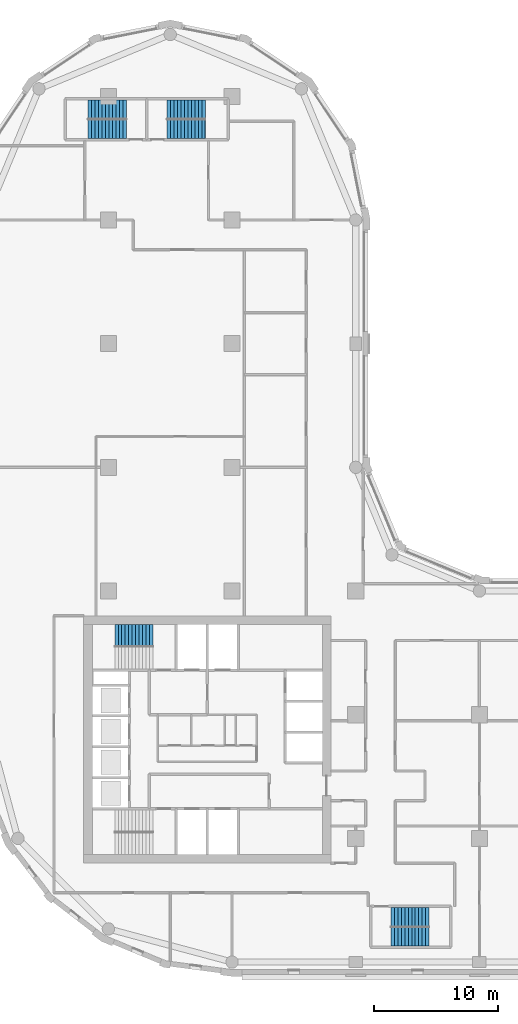
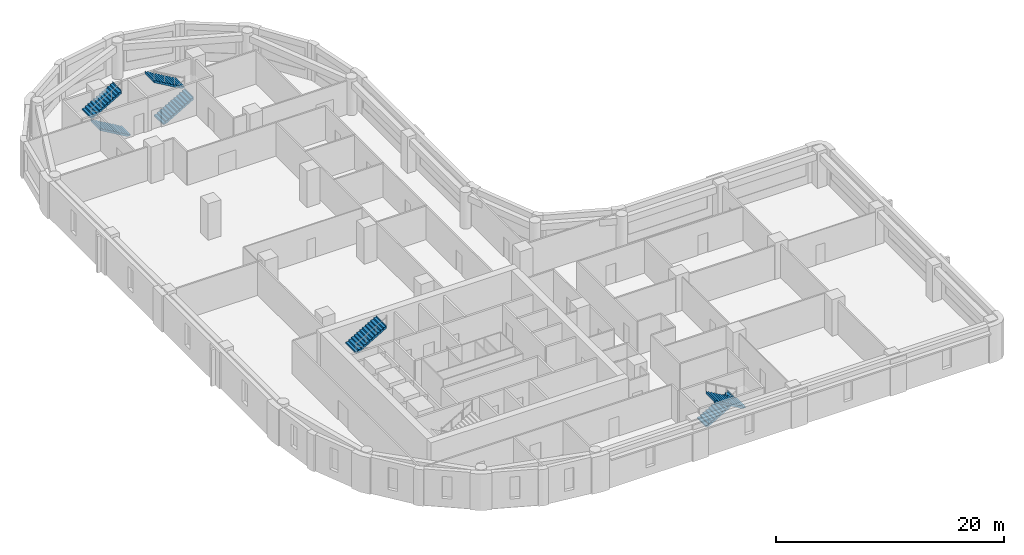
# One storey, part 7 of 9: 7 stair flights, 4 elements without a shape of their own.
"""IFC4 building model written with IfcOpenShell, lengths in metres."""

from ifc_helpers import new_model, si_unit, direction, frame, origin, place, context, subcontext, project, spatial, polyline, outline, extrude, material, type_object, element, aggregate, save


model = new_model("IFC4")

# Units and contexts
model_context = context("Model", 3, precision=1e-05, world=origin(), true_north=direction((0.0, 1.0)))
body_context = subcontext(model_context, "Body", "Model", "MODEL_VIEW")
ifc_project = project(units=[si_unit("LENGTHUNIT", "METRE"), si_unit("AREAUNIT", "SQUARE_METRE"), si_unit("VOLUMEUNIT", "CUBIC_METRE"), si_unit("PLANEANGLEUNIT", "RADIAN"), si_unit("MASSUNIT", "GRAM", prefix="KILO")], contexts=[model_context])

# Site, building, storey
site_placement = place(None, origin())
site = spatial("IfcSite", under=ifc_project, at=site_placement, CompositionType="ELEMENT")
building_placement = place(site_placement, origin())
building = spatial("IfcBuilding", under=site, at=building_placement, Name="Qaws Garden Tower", CompositionType="ELEMENT")
storey_placement = place(building_placement, frame((0.0, 0.0, 159.0)))
storey = spatial("IfcBuildingStorey", under=building, at=storey_placement, Name="L38", CompositionType="ELEMENT", Elevation=159.0)

# Stair, stair flights
ifc_material_1 = material(Name="Concrete C40", Category="concrete")
stair_type_1 = type_object("IfcStairType", Name="Exit stair 1350", PredefinedType="HALF_TURN_STAIR", material=ifc_material_1)
placement = place(storey_placement, origin())
stair_1 = element("IfcStair", 1, at=placement, inside=storey, type_object=stair_type_1, Name="Stair 5", PredefinedType="HALF_TURN_STAIR")
ifc_material_2 = material(Name="Concrete C40", Category="concrete")
stair_flight_type_1 = type_object("IfcStairFlightType", Name="Stair flight 1350", PredefinedType="STRAIGHT", material=ifc_material_2)
stair_flight_1_placement = place(storey_placement, frame((32.85009765625, 3.625, 0.0), z_axis=(0.0, 0.0, 1.0), x_axis=(1.0, 0.0, 0.0)))
stair_flight_1 = element("IfcStairFlight", 2, at=stair_flight_1_placement, type_object=stair_flight_type_1, Name="ST5 flight 1", NumberOfRisers=12, NumberOfTreads=11, PredefinedType="STRAIGHT", RiserHeight=0.1625, TreadLength=0.28, context=body_context, shape_type="SweptSolid", body=[
    extrude(outline(polyline([(-0.0029296875, 0.0), (-0.0029296875, 0.16259765625), (0.0, 0.16259765625), (0.280029296875, 0.16259765625), (0.280029296875, 0.324951171875), (0.56005859375, 0.324951171875), (0.56005859375, 0.487548828125), (0.840087890625, 0.487548828125), (0.840087890625, 0.64990234375), (1.1201171875, 0.64990234375), (1.1201171875, 0.8125), (1.39990234375, 0.8125), (1.39990234375, 0.97509765625), (1.679931640625, 0.97509765625), (1.679931640625, 1.137451171875), (1.9599609375, 1.137451171875), (1.9599609375, 1.300048828125), (2.239990234375, 1.300048828125), (2.239990234375, 1.46240234375), (2.52001953125, 1.46240234375), (2.52001953125, 1.625), (2.800048828125, 1.625), (2.800048828125, 1.78759765625), (3.080078125, 1.78759765625), (3.080078125, 1.949951171875), (3.0830078125, 1.949951171875), (3.0830078125, 1.6142578125), (3.080078125, 1.6142578125), (0.298583984375, 0.0), (-0.0029296875, 0.0)])), frame((0.0, 0.77490234375, 0.0), z_axis=(0.0, -1.0, 0.0), x_axis=(1.0, 0.0, 0.0)), (0.0, 0.0, 1.0), 1.550048828125),
])
stair_flight_2_placement = place(storey_placement, frame((35.929931640625, 2.074951171875, 1.949951171875), z_axis=(0.0, 0.0, 1.0), x_axis=(-1.0, 0.0, 0.0)))
stair_flight_2 = element("IfcStairFlight", 3, at=stair_flight_2_placement, type_object=stair_flight_type_1, Name="ST5 flight 2", NumberOfRisers=12, NumberOfTreads=11, PredefinedType="STRAIGHT", RiserHeight=0.1625, TreadLength=0.28, context=body_context, shape_type="SweptSolid", body=[
    extrude(outline(polyline([(-0.0029296875, 0.0), (-0.0029296875, 0.16259765625), (0.0, 0.16259765625), (0.280029296875, 0.16259765625), (0.280029296875, 0.324951171875), (0.56005859375, 0.324951171875), (0.56005859375, 0.487548828125), (0.840087890625, 0.487548828125), (0.840087890625, 0.64990234375), (1.1201171875, 0.64990234375), (1.1201171875, 0.8125), (1.39990234375, 0.8125), (1.39990234375, 0.97509765625), (1.679931640625, 0.97509765625), (1.679931640625, 1.137451171875), (1.9599609375, 1.137451171875), (1.9599609375, 1.300048828125), (2.239990234375, 1.300048828125), (2.239990234375, 1.46240234375), (2.52001953125, 1.46240234375), (2.52001953125, 1.625), (2.800048828125, 1.625), (2.800048828125, 1.78759765625), (3.080078125, 1.78759765625), (3.080078125, 1.949951171875), (3.0830078125, 1.949951171875), (3.0830078125, 1.6142578125), (3.080078125, 1.6142578125), (0.298583984375, 0.0), (-0.0029296875, 0.0)])), frame((0.0, 0.77490234375, 0.0), z_axis=(0.0, -1.0, 0.0), x_axis=(1.0, 0.0, 0.0)), (0.0, 0.0, 1.0), 1.550048828125),
])
aggregate(stair_1, [stair_flight_1, stair_flight_2])

stair_2 = element("IfcStair", 4, at=placement, inside=storey, type_object=stair_type_1, Name="Stair 6", PredefinedType="HALF_TURN_STAIR")
stair_flight_3_placement = place(storey_placement, frame((11.449951171875, 67.375, 0.0), z_axis=(0.0, 0.0, 1.0), x_axis=(-1.0, 0.0, 0.0)))
stair_flight_3 = element("IfcStairFlight", 5, at=stair_flight_3_placement, type_object=stair_flight_type_1, Name="ST6 flight 1", NumberOfRisers=12, NumberOfTreads=11, PredefinedType="STRAIGHT", RiserHeight=0.1625, TreadLength=0.28, context=body_context, shape_type="SweptSolid", body=[
    extrude(outline(polyline([(-0.0029296875, 0.0), (-0.0029296875, 0.16259765625), (0.0, 0.16259765625), (0.280029296875, 0.16259765625), (0.280029296875, 0.324951171875), (0.56005859375, 0.324951171875), (0.56005859375, 0.487548828125), (0.840087890625, 0.487548828125), (0.840087890625, 0.64990234375), (1.1201171875, 0.64990234375), (1.1201171875, 0.8125), (1.39990234375, 0.8125), (1.39990234375, 0.97509765625), (1.679931640625, 0.97509765625), (1.679931640625, 1.137451171875), (1.9599609375, 1.137451171875), (1.9599609375, 1.300048828125), (2.239990234375, 1.300048828125), (2.239990234375, 1.46240234375), (2.52001953125, 1.46240234375), (2.52001953125, 1.625), (2.800048828125, 1.625), (2.800048828125, 1.78759765625), (3.080078125, 1.78759765625), (3.080078125, 1.949951171875), (3.0830078125, 1.949951171875), (3.0830078125, 1.6142578125), (3.080078125, 1.6142578125), (0.298583984375, 0.0), (-0.0029296875, 0.0)])), frame((0.0, 0.77490234375, 0.0), z_axis=(0.0, -1.0, 0.0), x_axis=(1.0, 0.0, 0.0)), (0.0, 0.0, 1.0), 1.550048828125),
])
stair_flight_4_placement = place(storey_placement, frame((8.3701171875, 68.925048828125, 1.949951171875), z_axis=(0.0, 0.0, 1.0), x_axis=(1.0, 0.0, 0.0)))
stair_flight_4 = element("IfcStairFlight", 6, at=stair_flight_4_placement, type_object=stair_flight_type_1, Name="ST6 flight 2", NumberOfRisers=12, NumberOfTreads=11, PredefinedType="STRAIGHT", RiserHeight=0.1625, TreadLength=0.28, context=body_context, shape_type="SweptSolid", body=[
    extrude(outline(polyline([(-0.0029296875, 0.0), (-0.0029296875, 0.16259765625), (0.0, 0.16259765625), (0.280029296875, 0.16259765625), (0.280029296875, 0.324951171875), (0.56005859375, 0.324951171875), (0.56005859375, 0.487548828125), (0.840087890625, 0.487548828125), (0.840087890625, 0.64990234375), (1.1201171875, 0.64990234375), (1.1201171875, 0.8125), (1.39990234375, 0.8125), (1.39990234375, 0.97509765625), (1.679931640625, 0.97509765625), (1.679931640625, 1.137451171875), (1.9599609375, 1.137451171875), (1.9599609375, 1.300048828125), (2.239990234375, 1.300048828125), (2.239990234375, 1.46240234375), (2.52001953125, 1.46240234375), (2.52001953125, 1.625), (2.800048828125, 1.625), (2.800048828125, 1.78759765625), (3.080078125, 1.78759765625), (3.080078125, 1.949951171875), (3.0830078125, 1.949951171875), (3.0830078125, 1.6142578125), (3.080078125, 1.6142578125), (0.298583984375, 0.0), (-0.0029296875, 0.0)])), frame((0.0, 0.77490234375, 0.0), z_axis=(0.0, -1.0, 0.0), x_axis=(1.0, 0.0, 0.0)), (0.0, 0.0, 1.0), 1.550048828125),
])
aggregate(stair_2, [stair_flight_3, stair_flight_4])

stair_3 = element("IfcStair", 7, at=placement, inside=storey, type_object=stair_type_1, Name="Stair 7", PredefinedType="HALF_TURN_STAIR")
stair_flight_5_placement = place(storey_placement, frame((14.75, 67.375, 0.0), z_axis=(0.0, 0.0, 1.0), x_axis=(1.0, 0.0, 0.0)))
stair_flight_5 = element("IfcStairFlight", 8, at=stair_flight_5_placement, type_object=stair_flight_type_1, Name="ST7 flight 1", NumberOfRisers=12, NumberOfTreads=11, PredefinedType="STRAIGHT", RiserHeight=0.1625, TreadLength=0.28, context=body_context, shape_type="SweptSolid", body=[
    extrude(outline(polyline([(-0.0029296875, 0.0), (-0.0029296875, 0.16259765625), (0.0, 0.16259765625), (0.280029296875, 0.16259765625), (0.280029296875, 0.324951171875), (0.56005859375, 0.324951171875), (0.56005859375, 0.487548828125), (0.840087890625, 0.487548828125), (0.840087890625, 0.64990234375), (1.1201171875, 0.64990234375), (1.1201171875, 0.8125), (1.39990234375, 0.8125), (1.39990234375, 0.97509765625), (1.679931640625, 0.97509765625), (1.679931640625, 1.137451171875), (1.9599609375, 1.137451171875), (1.9599609375, 1.300048828125), (2.239990234375, 1.300048828125), (2.239990234375, 1.46240234375), (2.52001953125, 1.46240234375), (2.52001953125, 1.625), (2.800048828125, 1.625), (2.800048828125, 1.78759765625), (3.080078125, 1.78759765625), (3.080078125, 1.949951171875), (3.0830078125, 1.949951171875), (3.0830078125, 1.6142578125), (3.080078125, 1.6142578125), (0.298583984375, 0.0), (-0.0029296875, 0.0)])), frame((0.0, 0.77490234375, 0.0), z_axis=(0.0, -1.0, 0.0), x_axis=(1.0, 0.0, 0.0)), (0.0, 0.0, 1.0), 1.550048828125),
])
stair_flight_6_placement = place(storey_placement, frame((17.830078125, 68.925048828125, 1.949951171875), z_axis=(0.0, 0.0, 1.0), x_axis=(-1.0, 0.0, 0.0)))
stair_flight_6 = element("IfcStairFlight", 9, at=stair_flight_6_placement, type_object=stair_flight_type_1, Name="ST7 flight 2", NumberOfRisers=12, NumberOfTreads=11, PredefinedType="STRAIGHT", RiserHeight=0.1625, TreadLength=0.28, context=body_context, shape_type="SweptSolid", body=[
    extrude(outline(polyline([(-0.0029296875, 0.0), (-0.0029296875, 0.16259765625), (0.0, 0.16259765625), (0.280029296875, 0.16259765625), (0.280029296875, 0.324951171875), (0.56005859375, 0.324951171875), (0.56005859375, 0.487548828125), (0.840087890625, 0.487548828125), (0.840087890625, 0.64990234375), (1.1201171875, 0.64990234375), (1.1201171875, 0.8125), (1.39990234375, 0.8125), (1.39990234375, 0.97509765625), (1.679931640625, 0.97509765625), (1.679931640625, 1.137451171875), (1.9599609375, 1.137451171875), (1.9599609375, 1.300048828125), (2.239990234375, 1.300048828125), (2.239990234375, 1.46240234375), (2.52001953125, 1.46240234375), (2.52001953125, 1.625), (2.800048828125, 1.625), (2.800048828125, 1.78759765625), (3.080078125, 1.78759765625), (3.080078125, 1.949951171875), (3.0830078125, 1.949951171875), (3.0830078125, 1.6142578125), (3.080078125, 1.6142578125), (0.298583984375, 0.0), (-0.0029296875, 0.0)])), frame((0.0, 0.77490234375, 0.0), z_axis=(0.0, -1.0, 0.0), x_axis=(1.0, 0.0, 0.0)), (0.0, 0.0, 1.0), 1.550048828125),
])
aggregate(stair_3, [stair_flight_5, stair_flight_6])

# Stair, stair flight
ifc_material_3 = material(Name="Concrete C40", Category="concrete")
stair_type_2 = type_object("IfcStairType", Name="Exit stair 1500", PredefinedType="HALF_TURN_STAIR", material=ifc_material_3)
stair_4 = element("IfcStair", 10, at=placement, inside=storey, type_object=stair_type_2, Name="Stair 4", PredefinedType="HALF_TURN_STAIR")
ifc_material_4 = material(Name="Concrete C40", Category="concrete")
stair_flight_type_2 = type_object("IfcStairFlightType", Name="Stair flight 1500", PredefinedType="STRAIGHT", material=ifc_material_4)
stair_flight_7_placement = place(storey_placement, frame((10.52001953125, 26.39990234375, 1.949951171875), z_axis=(0.0, 0.0, 1.0), x_axis=(1.0, 0.0, 0.0)))
stair_flight_7 = element("IfcStairFlight", 11, at=stair_flight_7_placement, type_object=stair_flight_type_2, Name="ST4 flight 2", NumberOfRisers=12, NumberOfTreads=11, PredefinedType="STRAIGHT", RiserHeight=0.1625, TreadLength=0.28, context=body_context, shape_type="SweptSolid", body=[
    extrude(outline(polyline([(-0.0029296875, 0.0), (-0.0029296875, 0.16259765625), (0.0, 0.16259765625), (0.280029296875, 0.16259765625), (0.280029296875, 0.324951171875), (0.56005859375, 0.324951171875), (0.56005859375, 0.487548828125), (0.840087890625, 0.487548828125), (0.840087890625, 0.64990234375), (1.1201171875, 0.64990234375), (1.1201171875, 0.8125), (1.39990234375, 0.8125), (1.39990234375, 0.97509765625), (1.679931640625, 0.97509765625), (1.679931640625, 1.137451171875), (1.9599609375, 1.137451171875), (1.9599609375, 1.300048828125), (2.239990234375, 1.300048828125), (2.239990234375, 1.46240234375), (2.52001953125, 1.46240234375), (2.52001953125, 1.625), (2.800048828125, 1.625), (2.800048828125, 1.78759765625), (3.080078125, 1.78759765625), (3.080078125, 1.949951171875), (3.0830078125, 1.949951171875), (3.0830078125, 1.6142578125), (3.080078125, 1.6142578125), (0.298583984375, 0.0), (-0.0029296875, 0.0)])), frame((0.0, 0.89501953125, 0.0), z_axis=(0.0, -1.0, 0.0), x_axis=(1.0, 0.0, 0.0)), (0.0, 0.0, 1.0), 1.7900390625),
])
aggregate(stair_4, [stair_flight_7])

save(model, "model.ifc")
